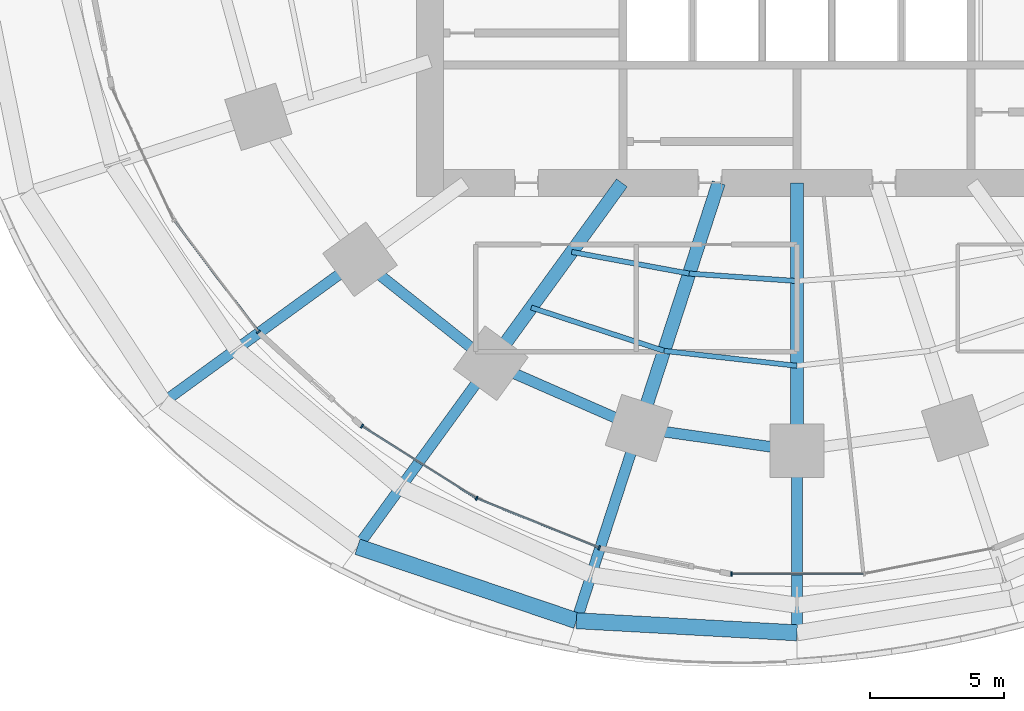
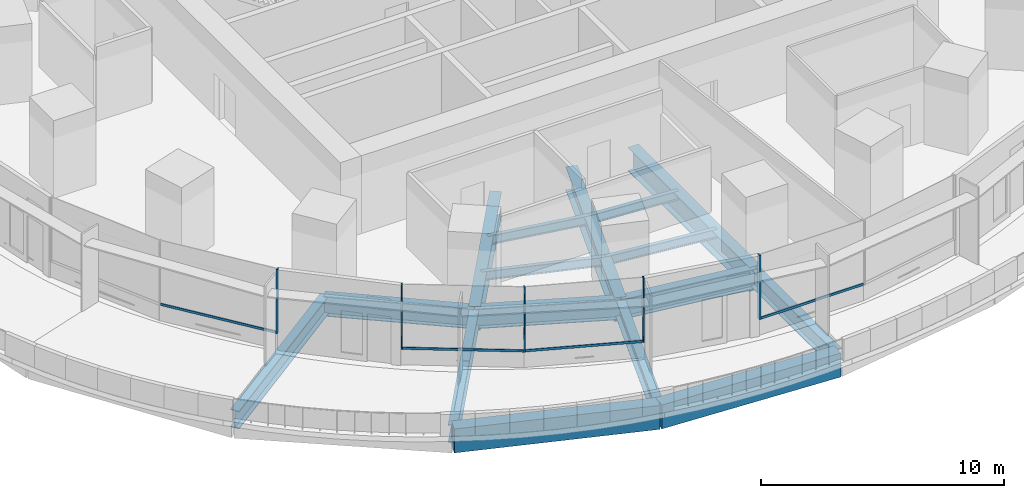
# One storey, part 2 of 20: 16 beams, 9 members, 4 elements without a shape of their own.
"""IFC4 building model written with IfcOpenShell, lengths in metres."""

import ifcopenshell
import ifcopenshell.guid

model = None  # the IFC model being written
_history = None  # IfcOwnerHistory: only IFC2X3 demands one
_inside = {}  # id of a spatial element -> (the spatial element, [elements in it])
_under = {}  # id of a project, library or spatial element -> (it, [spatial elements below it])
_declared = {}  # id of a project -> (the project, [libraries it declares])
_typed = {}  # id of a type object -> (the type object, [elements of that type])
_made_of = {}  # id of a material, layer set ... -> (it, [elements and type objects made of it])


def new_model(schema):
    """Start an empty IFC model of exactly this schema.

    Asked for "IFC4X3", IfcOpenShell would pick the latest addendum, in which some entities
    have other attributes; the version numbers below select the first issue.
    IFC2X3 requires an IfcOwnerHistory on every rooted entity: one is made here for all.
    """
    global model, _history
    if schema == "IFC4X3":
        model = ifcopenshell.file(schema_version=(4, 3, 0, 0))
    else:
        model = ifcopenshell.file(schema=schema)
    _inside.clear()
    _under.clear()
    _declared.clear()
    _typed.clear()
    _made_of.clear()
    _history = None
    if model.schema == "IFC2X3":
        org = make("IfcOrganization", Name="unknown")
        user = make(
            "IfcPersonAndOrganization",
            ThePerson=make("IfcPerson", FamilyName="unknown"),
            TheOrganization=org,
        )
        app = make(
            "IfcApplication",
            ApplicationDeveloper=org,
            Version="unknown",
            ApplicationFullName="unknown",
            ApplicationIdentifier="unknown",
        )
        _history = make(
            "IfcOwnerHistory",
            OwningUser=user,
            OwningApplication=app,
            ChangeAction="ADDED",
            CreationDate=0,
        )
    return model


def make(cls, **values):
    """One entity of the class cls with the attributes given. An attribute that is None is left unset."""
    return model.create_entity(
        cls, **{name: value for name, value in values.items() if value is not None}
    )


def rooted(cls, **values):
    """An entity with a GlobalId (a new one), such as an element, a storey or a relation."""
    return make(cls, GlobalId=ifcopenshell.guid.new(), OwnerHistory=_history, **values)


def si_unit(unit_type, name, prefix=None):
    """IfcSIUnit, for example si_unit("LENGTHUNIT", "METRE", prefix="MILLI")."""
    return make("IfcSIUnit", UnitType=unit_type, Prefix=prefix, Name=name)


def assignment(units):
    """IfcUnitAssignment: the units of a project."""
    return None if units is None else make("IfcUnitAssignment", Units=units)


def point(xyz):
    """IfcCartesianPoint."""
    return None if xyz is None else make("IfcCartesianPoint", Coordinates=xyz)


def direction(xyz):
    """IfcDirection."""
    return None if xyz is None else make("IfcDirection", DirectionRatios=xyz)


def frame(location, z_axis=None, x_axis=None):
    """IfcAxis2Placement3D, a coordinate frame: its origin and axes. An axis left out is left unset."""
    return make(
        "IfcAxis2Placement3D",
        Location=point(location),
        Axis=direction(z_axis),
        RefDirection=direction(x_axis),
    )


def frame_2d(location, x_axis=None):
    """IfcAxis2Placement2D, a coordinate frame in the plane: its origin and x axis."""
    return make(
        "IfcAxis2Placement2D", Location=point(location), RefDirection=direction(x_axis)
    )


def origin():
    """The frame at (0, 0, 0) with its axes left unset."""
    return frame((0.0, 0.0, 0.0))


def origin_2d():
    """The frame at (0, 0) in the plane with its x axis left unset."""
    return frame_2d((0.0, 0.0))


def place(relative_to, where):
    """IfcLocalPlacement: puts the frame where relative to a parent placement (None: the world)."""
    return make(
        "IfcLocalPlacement", PlacementRelTo=relative_to, RelativePlacement=where
    )


def context(
    kind, dimensions, precision=None, world=None, true_north=None, identifier=None
):
    """IfcGeometricRepresentationContext, for example the 3D "Model" context."""
    return make(
        "IfcGeometricRepresentationContext",
        ContextIdentifier=identifier,
        ContextType=kind,
        CoordinateSpaceDimension=dimensions,
        Precision=precision,
        WorldCoordinateSystem=world,
        TrueNorth=true_north,
    )


def subcontext(parent, identifier, kind, view, scale=None):
    """IfcGeometricRepresentationSubContext, for example "Body" below "Model"."""
    return make(
        "IfcGeometricRepresentationSubContext",
        ContextIdentifier=identifier,
        ContextType=kind,
        ParentContext=parent,
        TargetScale=scale,
        TargetView=view,
    )


def project(units=None, contexts=None):
    """IfcProject with its units and contexts."""
    return rooted(
        "IfcProject",
        Name="project",
        RepresentationContexts=contexts,
        UnitsInContext=assignment(units),
    )


def spatial(cls, under=None, at=None, **own):
    """A site, building, storey or space (cls), placed at a placement, below another one or the project."""
    s = rooted(cls, ObjectPlacement=at, **own)
    if under is not None:
        _under.setdefault(under.id(), (under, []))[1].append(s)
    return s


def profile(cls, at=None, kind="AREA", **sizes):
    """A parametric profile (cls). Its sizes go by their IFC names, for example OverallWidth=200.0."""
    return make(cls, ProfileType=kind, Position=at, **sizes)


def rectangle(**sizes):
    """IfcRectangleProfileDef."""
    return profile("IfcRectangleProfileDef", **sizes)


def i_section(**sizes):
    """IfcIShapeProfileDef."""
    return profile("IfcIShapeProfileDef", **sizes)


def extrude(swept, where, along, depth):
    """IfcExtrudedAreaSolid: the profile swept, set in the frame where, extruded along a direction by depth."""
    return make(
        "IfcExtrudedAreaSolid",
        SweptArea=swept,
        Position=where,
        ExtrudedDirection=direction(along),
        Depth=depth,
    )


def shape(context_of_items, identifier, shape_type, items):
    """IfcShapeRepresentation: the items that make up one representation, for example the "Body"."""
    return make(
        "IfcShapeRepresentation",
        ContextOfItems=context_of_items,
        RepresentationIdentifier=identifier,
        RepresentationType=shape_type,
        Items=items,
    )


def material(Name=None, Category=None):
    """IfcMaterial."""
    return make("IfcMaterial", Name=Name, Category=Category)


def material_profile(
    of_material, cross_section, Name=None, Category=None, Priority=None
):
    """IfcMaterialProfile: a cross section and its material."""
    return make(
        "IfcMaterialProfile",
        Name=Name,
        Material=of_material,
        Profile=cross_section,
        Priority=Priority,
        Category=Category,
    )


def profile_set(profiles, Name=None, composite=None):
    """IfcMaterialProfileSet."""
    return make(
        "IfcMaterialProfileSet",
        Name=Name,
        MaterialProfiles=profiles,
        CompositeProfile=composite,
    )


def made_of(thing, what):
    """Note that an element or type object is made of a material, layer set ...; save() writes the relation."""
    if what is not None:
        _made_of.setdefault(what.id(), (what, []))[1].append(thing)
    return thing


def type_object(cls, material=None, **own):
    """A type object (cls), such as IfcWallType, which elements share."""
    return made_of(rooted(cls, **own), material)


def element(
    cls,
    number,
    at=None,
    inside=None,
    cuts=None,
    type_object=None,
    material=None,
    context=None,
    identifier="Body",
    shape_type=None,
    held_by="IfcProductDefinitionShape",
    body=None,
    shapes=None,
    **own,
):
    """One element of the class cls, such as IfcWall. Its Tag is "e" and its number.

    at: its placement. inside: the storey or other place that contains it. cuts: it is an
    opening in that element (IfcRelVoidsElement). A single representation is given by context,
    identifier, shape_type and body (its items); several are given by shapes. held_by: the class
    of the entity that holds the representations. save() writes the other relations.
    """
    e = rooted(cls, Tag="e%d" % number, ObjectPlacement=at, **own)
    if body is not None:
        shapes = [shape(context, identifier, shape_type, body)]
    if shapes is not None:
        e.Representation = make(held_by, Representations=shapes)
    if inside is not None:
        _inside.setdefault(inside.id(), (inside, []))[1].append(e)
    if cuts is not None:
        rooted(
            "IfcRelVoidsElement", RelatingBuildingElement=cuts, RelatedOpeningElement=e
        )
    if type_object is not None:
        _typed.setdefault(type_object.id(), (type_object, []))[1].append(e)
    return made_of(e, material)


def aggregate(whole, parts):
    """IfcRelAggregates: a whole, such as a stair, and the parts it consists of."""
    return rooted("IfcRelAggregates", RelatingObject=whole, RelatedObjects=parts)


def save(model, path):
    """Write the relations noted so far, then the file.

    IfcRelAggregates (storeys below a building ...), IfcRelContainedInSpatialStructure (elements
    in a storey), IfcRelDefinesByType, IfcRelAssociatesMaterial and IfcRelDeclares: one each for
    every whole, place, type object, material and project.
    """
    for whole, parts in _under.values():
        aggregate(whole, parts)
    for where, things in _inside.values():
        rooted(
            "IfcRelContainedInSpatialStructure",
            RelatedElements=things,
            RelatingStructure=where,
        )
    for kind, things in _typed.values():
        rooted("IfcRelDefinesByType", RelatedObjects=things, RelatingType=kind)
    for what, things in _made_of.values():
        rooted("IfcRelAssociatesMaterial", RelatedObjects=things, RelatingMaterial=what)
    for by, libraries in _declared.values():
        rooted("IfcRelDeclares", RelatingContext=by, RelatedDefinitions=libraries)
    model.write(path)


model = new_model("IFC4")

# Units and contexts
model_context = context("Model", 3, precision=1e-05, world=origin(), true_north=direction((0.0, 1.0)))
body_context = subcontext(model_context, "Body", "Model", "MODEL_VIEW")
ifc_project = project(units=[si_unit("LENGTHUNIT", "METRE"), si_unit("AREAUNIT", "SQUARE_METRE"), si_unit("VOLUMEUNIT", "CUBIC_METRE"), si_unit("PLANEANGLEUNIT", "RADIAN"), si_unit("MASSUNIT", "GRAM", prefix="KILO")], contexts=[model_context])

# Site, building, storey
site_placement = place(None, origin())
site = spatial("IfcSite", under=ifc_project, at=site_placement, CompositionType="ELEMENT")
building_placement = place(site_placement, origin())
building = spatial("IfcBuilding", under=site, at=building_placement, Name="Marramba Exchange Tower", CompositionType="ELEMENT")
storey_placement = place(building_placement, frame((0.0, 0.0, 19.60009765625)))
storey = spatial("IfcBuildingStorey", under=building, at=storey_placement, Name="L04", CompositionType="ELEMENT", Elevation=19.60009765625)

# Beams
ifc_material_1 = material(Name="Concrete N50", Category="concrete")
ifc_material_profile_1 = material_profile(ifc_material_1, rectangle(XDim=0.60009765625, YDim=1.199951171875, at=origin_2d()), Name="RC 600x1200")
ifc_profile_set_1 = profile_set([ifc_material_profile_1], Name="Concrete N50")
beam_type_1 = type_object("IfcBeamType", Name="Edge beam RC 600x1200 N50", PredefinedType="SPANDREL", material=ifc_profile_set_1)
beam_1_placement = place(storey_placement, frame((-16.40869140625, -22.58447265625, -0.85009765625), z_axis=(0.947330534482, -0.320257487715, 0.0), x_axis=(0.320257487715, 0.947330534482, 0.0)))
element("IfcBeam", 1, at=beam_1_placement, inside=storey, type_object=beam_type_1, Name="Edge beam L04 P3C14", PredefinedType="SPANDREL", context=body_context, shape_type="SweptSolid", body=[
    extrude(rectangle(XDim=0.60009765625, YDim=1.199951171875, at=origin_2d()), origin(), (0.0, 0.0, 1.0), 8.627197265625),
])
beam_2_placement = place(storey_placement, frame((-8.23583984375, -25.347412109375, -0.85009765625), z_axis=(0.998493145598, -0.054876572358, 0.0), x_axis=(0.054876572358, 0.998493145598, 0.0)))
element("IfcBeam", 2, at=beam_2_placement, inside=storey, type_object=beam_type_1, Name="Edge beam L04 P3C15", PredefinedType="SPANDREL", context=body_context, shape_type="SweptSolid", body=[
    extrude(rectangle(XDim=0.60009765625, YDim=1.199951171875, at=origin_2d()), origin(), (0.0, 0.0, 1.0), 8.248291015625),
])
ifc_material_2 = material(Name="Steel AS/NZS 3679.1 grade 300", Category="steel")
ifc_material_profile_2 = material_profile(ifc_material_2, i_section(OverallWidth=0.18994140625, OverallDepth=0.4541015625, WebThickness=0.008544921875, FlangeThickness=0.0126953125, FilletRadius=0.011474609375, at=origin_2d()), Name="460UB67.1")
ifc_profile_set_2 = profile_set([ifc_material_profile_2], Name="Steel AS/NZS 3679.1 grade 300")
beam_type_2 = type_object("IfcBeamType", Name="Floor joist 460UB67.1", PredefinedType="JOIST", material=ifc_profile_set_2)
beam_3_placement = place(storey_placement, frame((-8.41162109375, -11.57763671875, -0.427001953125), z_axis=(0.983455754421, -0.181148500119, 0.0), x_axis=(0.181148500119, 0.983455754421, 0.0)))
element("IfcBeam", 3, at=beam_3_placement, inside=storey, type_object=beam_type_2, Name="Joist L04 bay 14 row 1", PredefinedType="JOIST", context=body_context, shape_type="SweptSolid", body=[
    extrude(i_section(OverallWidth=0.18994140625, OverallDepth=0.4541015625, WebThickness=0.008544921875, FlangeThickness=0.0126953125, FilletRadius=0.011474609375, at=origin_2d()), origin(), (0.0, 0.0, 1.0), 4.4609375),
])
beam_4_placement = place(storey_placement, frame((-9.9208984375, -13.655029296875, -0.427001953125), z_axis=(0.950764024931, -0.309915744834, 0.0), x_axis=(0.309915744834, 0.950764024931, 0.0)))
element("IfcBeam", 4, at=beam_4_placement, inside=storey, type_object=beam_type_2, Name="Joist L04 bay 14 row 2", PredefinedType="JOIST", context=body_context, shape_type="SweptSolid", body=[
    extrude(i_section(OverallWidth=0.18994140625, OverallDepth=0.4541015625, WebThickness=0.008544921875, FlangeThickness=0.0126953125, FilletRadius=0.011474609375, at=origin_2d()), origin(), (0.0, 0.0, 1.0), 5.2158203125),
])
beam_5_placement = place(storey_placement, frame((-4.0244140625, -12.3857421875, -0.427001953125), z_axis=(0.99759625901, -0.069294328838, 0.0), x_axis=(0.069294328838, 0.99759625901, 0.0)))
element("IfcBeam", 5, at=beam_5_placement, inside=storey, type_object=beam_type_2, Name="Joist L04 bay 15 row 1", PredefinedType="JOIST", context=body_context, shape_type="SweptSolid", body=[
    extrude(i_section(OverallWidth=0.18994140625, OverallDepth=0.4541015625, WebThickness=0.008544921875, FlangeThickness=0.0126953125, FilletRadius=0.011474609375, at=origin_2d()), origin(), (0.0, 0.0, 1.0), 4.0341796875),
])
beam_6_placement = place(storey_placement, frame((-4.9619140625, -15.271484375, -0.427001953125), z_axis=(0.993712018573, -0.111966174106, 0.0), x_axis=(0.111966174106, 0.993712018573, 0.0)))
element("IfcBeam", 6, at=beam_6_placement, inside=storey, type_object=beam_type_2, Name="Joist L04 bay 15 row 2", PredefinedType="JOIST", context=body_context, shape_type="SweptSolid", body=[
    extrude(i_section(OverallWidth=0.18994140625, OverallDepth=0.4541015625, WebThickness=0.008544921875, FlangeThickness=0.0126953125, FilletRadius=0.011474609375, at=origin_2d()), origin(), (0.0, 0.0, 1.0), 4.993408203125),
])
ifc_material_3 = material(Name="Steel AS/NZS 3679.2 grade 300", Category="steel")
ifc_material_profile_3 = material_profile(ifc_material_3, i_section(OverallWidth=0.5, OverallDepth=1.199951171875, WebThickness=0.01611328125, FlangeThickness=0.0400390625, at=origin_2d()), Name="1200WB455")
ifc_profile_set_3 = profile_set([ifc_material_profile_3], Name="Steel AS/NZS 3679.2 grade 300")
beam_type_3 = type_object("IfcBeamType", Name="Radial girder 1200WB455", PredefinedType="BEAM", material=ifc_profile_set_3)
beam_7_placement = place(storey_placement, frame((-6.538818359375, -9.0, -0.800048828125), z_axis=(-0.587787877172, -0.809015087282, 0.0), x_axis=(0.809015087282, -0.587787877172, 0.0)))
element("IfcBeam", 7, at=beam_7_placement, inside=storey, type_object=beam_type_3, Name="Radial girder L04 TC14", PredefinedType="BEAM", context=body_context, shape_type="SweptSolid", body=[
    extrude(i_section(OverallWidth=0.5, OverallDepth=1.199951171875, WebThickness=0.01611328125, FlangeThickness=0.0400390625, at=origin_2d()), origin(), (0.0, 0.0, 1.0), 8.322021484375),
])
beam_8_placement = place(storey_placement, frame((-2.92431640625, -9.0, -0.800048828125), z_axis=(-0.309022428985, -0.951054750466, 0.0), x_axis=(0.951054750466, -0.309022428985, 0.0)))
element("IfcBeam", 8, at=beam_8_placement, inside=storey, type_object=beam_type_3, Name="Radial girder L04 TC15", PredefinedType="BEAM", context=body_context, shape_type="SweptSolid", body=[
    extrude(i_section(OverallWidth=0.5, OverallDepth=1.199951171875, WebThickness=0.01611328125, FlangeThickness=0.0400390625, at=origin_2d()), origin(), (0.0, 0.0, 1.0), 9.628173828125),
])
beam_9_placement = place(storey_placement, frame((0.0, -9.0, -0.800048828125), z_axis=(0.0, -1.0, 0.0), x_axis=(1.0, 0.0, 0.0)))
element("IfcBeam", 9, at=beam_9_placement, inside=storey, type_object=beam_type_3, Name="Radial girder L04 TC16", PredefinedType="BEAM", context=body_context, shape_type="SweptSolid", body=[
    extrude(i_section(OverallWidth=0.5, OverallDepth=1.199951171875, WebThickness=0.01611328125, FlangeThickness=0.0400390625, at=origin_2d()), origin(), (0.0, 0.0, 1.0), 9.99609375),
])
ifc_material_profile_4 = material_profile(ifc_material_3, i_section(OverallWidth=0.39990234375, OverallDepth=0.89990234375, WebThickness=0.01611328125, FlangeThickness=0.031982421875, at=origin_2d()), Name="900WB282")
ifc_profile_set_4 = profile_set([ifc_material_profile_4], Name="Steel AS/NZS 3679.2 grade 300")
beam_type_4 = type_object("IfcBeamType", Name="Radial girder 900WB282", PredefinedType="BEAM", material=ifc_profile_set_4)
beam_10_placement = place(storey_placement, frame((-23.644775390625, -17.178955078125, -0.7001953125), z_axis=(0.809011012896, 0.587793485004, 0.0), x_axis=(-0.587793485004, 0.809011012896, 0.0)))
element("IfcBeam", 10, at=beam_10_placement, inside=storey, type_object=beam_type_4, Name="Radial girder L04 P3C13", PredefinedType="BEAM", context=body_context, shape_type="SweptSolid", body=[
    extrude(i_section(OverallWidth=0.39990234375, OverallDepth=0.89990234375, WebThickness=0.01611328125, FlangeThickness=0.031982421875, at=origin_2d()), origin(), (0.0, 0.0, 1.0), 9.0595703125),
])
beam_11_placement = place(storey_placement, frame((-16.40869140625, -22.58447265625, -0.7001953125), z_axis=(0.58779626967, 0.809008989667, 0.0), x_axis=(-0.809008989667, 0.58779626967, 0.0)))
element("IfcBeam", 11, at=beam_11_placement, inside=storey, type_object=beam_type_4, Name="Radial girder L04 P3C14", PredefinedType="BEAM", context=body_context, shape_type="SweptSolid", body=[
    extrude(i_section(OverallWidth=0.39990234375, OverallDepth=0.89990234375, WebThickness=0.01611328125, FlangeThickness=0.031982421875, at=origin_2d()), origin(), (0.0, 0.0, 1.0), 8.469482421875),
])
beam_12_placement = place(storey_placement, frame((-8.23583984375, -25.347412109375, -0.7001953125), z_axis=(0.309001370997, 0.951061592497, 0.0), x_axis=(-0.951061592497, 0.309001370997, 0.0)))
element("IfcBeam", 12, at=beam_12_placement, inside=storey, type_object=beam_type_4, Name="Radial girder L04 P3C15", PredefinedType="BEAM", context=body_context, shape_type="SweptSolid", body=[
    extrude(i_section(OverallWidth=0.39990234375, OverallDepth=0.89990234375, WebThickness=0.01611328125, FlangeThickness=0.031982421875, at=origin_2d()), origin(), (0.0, 0.0, 1.0), 7.560546875),
])
beam_13_placement = place(storey_placement, frame((0.0, -25.800048828125, -0.7001953125), z_axis=(0.0, 1.0, 0.0), x_axis=(-1.0, 0.0, 0.0)))
element("IfcBeam", 13, at=beam_13_placement, inside=storey, type_object=beam_type_4, Name="Radial girder L04 P3C16", PredefinedType="BEAM", context=body_context, shape_type="SweptSolid", body=[
    extrude(i_section(OverallWidth=0.39990234375, OverallDepth=0.89990234375, WebThickness=0.01611328125, FlangeThickness=0.031982421875, at=origin_2d()), origin(), (0.0, 0.0, 1.0), 6.803955078125),
])
ifc_material_profile_5 = material_profile(ifc_material_3, i_section(OverallWidth=0.39990234375, OverallDepth=1.0, WebThickness=0.01611328125, FlangeThickness=0.031982421875, at=origin_2d()), Name="1000WB322")
ifc_profile_set_5 = profile_set([ifc_material_profile_5], Name="Steel AS/NZS 3679.2 grade 300")
beam_type_5 = type_object("IfcBeamType", Name="Ring beam 1000WB322", PredefinedType="SPANDREL", material=ifc_profile_set_5)
beam_14_placement = place(storey_placement, frame((-16.3154296875, -11.853759765625, -0.7001953125), z_axis=(0.783139438128, -0.621846138887, 0.0), x_axis=(0.621846138887, 0.783139438128, 0.0)))
element("IfcBeam", 14, at=beam_14_placement, inside=storey, type_object=beam_type_5, Name="Ring beam L04 TC13-TC14", PredefinedType="SPANDREL", context=body_context, shape_type="SweptSolid", body=[
    extrude(i_section(OverallWidth=0.39990234375, OverallDepth=1.0, WebThickness=0.01611328125, FlangeThickness=0.031982421875, at=origin_2d()), origin(), (0.0, 0.0, 1.0), 6.23779296875),
])
beam_15_placement = place(storey_placement, frame((-11.430419921875, -15.732666015625, -0.7001953125), z_axis=(0.915876892158, -0.4014592363, 0.0), x_axis=(0.4014592363, 0.915876892158, 0.0)))
element("IfcBeam", 15, at=beam_15_placement, inside=storey, type_object=beam_type_5, Name="Ring beam L04 TC14-TC15", PredefinedType="SPANDREL", context=body_context, shape_type="SweptSolid", body=[
    extrude(i_section(OverallWidth=0.39990234375, OverallDepth=1.0, WebThickness=0.01611328125, FlangeThickness=0.031982421875, at=origin_2d()), origin(), (0.0, 0.0, 1.0), 6.038818359375),
])
beam_16_placement = place(storey_placement, frame((-5.899658203125, -18.156982421875, -0.7001953125), z_axis=(0.990036163016, -0.140813337152, 0.0), x_axis=(0.140813337152, 0.990036163016, 0.0)))
element("IfcBeam", 16, at=beam_16_placement, inside=storey, type_object=beam_type_5, Name="Ring beam L04 TC15-TC16", PredefinedType="SPANDREL", context=body_context, shape_type="SweptSolid", body=[
    extrude(i_section(OverallWidth=0.39990234375, OverallDepth=1.0, WebThickness=0.01611328125, FlangeThickness=0.031982421875, at=origin_2d()), origin(), (0.0, 0.0, 1.0), 5.958984375),
])

# Curtain wall, member
ifc_material_4 = material(Name="Aluminium framing, bronze anodised", Category="aluminium")
curtain_wall_type = type_object("IfcCurtainWallType", Name="Trading floor ribbon curtain wall", PredefinedType="USERDEFINED", material=ifc_material_4)
curtain_wall_1_placement = place(storey_placement, origin())
curtain_wall_1 = element("IfcCurtainWall", 17, at=curtain_wall_1_placement, inside=storey, type_object=curtain_wall_type, Name="Curtain wall CW3 L04 F17-F18", ObjectType="RIBBON CURTAIN WALL", PredefinedType="USERDEFINED")
ifc_material_5 = material(Name="Aluminium mullion, bronze anodised", Category="aluminium")
ifc_material_profile_6 = material_profile(ifc_material_5, rectangle(XDim=0.159912109375, YDim=0.06005859375, at=origin_2d()), Name="CW3 mullion 60x160")
ifc_profile_set_6 = profile_set([ifc_material_profile_6], Name="Aluminium mullion, bronze anodised")
member_type_1 = type_object("IfcMemberType", Name="Trading floor ribbon curtain wall mullion", PredefinedType="MULLION", material=ifc_profile_set_6)
member_1_placement = place(storey_placement, frame((-20.103515625, -14.569091796875, 0.7998046875), z_axis=(0.0, 0.0, 1.0), x_axis=(0.797710591138, 0.603040473588, 0.0)))
member_1 = element("IfcMember", 18, at=member_1_placement, type_object=member_type_1, Name="CW3 mullion 2", PredefinedType="MULLION", context=body_context, shape_type="SweptSolid", body=[
    extrude(rectangle(XDim=0.159912109375, YDim=0.06005859375, at=origin_2d()), origin(), (0.0, 0.0, 1.0), 3.239990234375),
])

curtain_wall_2_placement = place(storey_placement, origin())
curtain_wall_2 = element("IfcCurtainWall", 19, at=curtain_wall_2_placement, inside=storey, type_object=curtain_wall_type, Name="Curtain wall CW3 L04 F20", ObjectType="RIBBON CURTAIN WALL", PredefinedType="USERDEFINED")
member_2_placement = place(storey_placement, frame((-16.242431640625, -18.083251953125, 0.7998046875), z_axis=(0.0, 0.0, 1.0), x_axis=(0.533514646612, 0.845790826298, 0.0)))
member_2 = element("IfcMember", 20, at=member_2_placement, type_object=member_type_1, Name="CW3 mullion 1", PredefinedType="MULLION", context=body_context, shape_type="SweptSolid", body=[
    extrude(rectangle(XDim=0.159912109375, YDim=0.06005859375, at=origin_2d()), origin(), (0.0, 0.0, 1.0), 3.239990234375),
])

# Curtain wall, members
curtain_wall_3_placement = place(storey_placement, origin())
curtain_wall_3 = element("IfcCurtainWall", 21, at=curtain_wall_3_placement, inside=storey, type_object=curtain_wall_type, Name="Curtain wall CW3 L04 F21", ObjectType="RIBBON CURTAIN WALL", PredefinedType="USERDEFINED")
member_3_placement = place(storey_placement, frame((-11.96142578125, -20.77734375, 0.7998046875), z_axis=(0.0, 0.0, 1.0), x_axis=(0.374218219325, 0.927340673283, 0.0)))
member_3 = element("IfcMember", 22, at=member_3_placement, type_object=member_type_1, Name="CW3 mullion 1", PredefinedType="MULLION", context=body_context, shape_type="SweptSolid", body=[
    extrude(rectangle(XDim=0.159912109375, YDim=0.06005859375, at=origin_2d()), origin(), (0.0, 0.0, 1.0), 3.239990234375),
])
member_4_placement = place(storey_placement, frame((-7.3828125, -22.625, 0.7998046875), z_axis=(0.0, 0.0, 1.0), x_axis=(0.374218219325, 0.927340673283, 0.0)))
member_4 = element("IfcMember", 23, at=member_4_placement, type_object=member_type_1, Name="CW3 mullion 2", PredefinedType="MULLION", context=body_context, shape_type="SweptSolid", body=[
    extrude(rectangle(XDim=0.159912109375, YDim=0.06005859375, at=origin_2d()), origin(), (0.0, 0.0, 1.0), 3.239990234375),
])

# Curtain wall, member
curtain_wall_4_placement = place(storey_placement, origin())
curtain_wall_4 = element("IfcCurtainWall", 24, at=curtain_wall_4_placement, inside=storey, type_object=curtain_wall_type, Name="Curtain wall CW3 L04 F23-F24", ObjectType="RIBBON CURTAIN WALL", PredefinedType="USERDEFINED")
member_5_placement = place(storey_placement, frame((-2.450439453125, -23.599853515625, 0.7998046875), z_axis=(0.0, 0.0, 1.0), x_axis=(0.0, 1.0, 0.0)))
member_5 = element("IfcMember", 25, at=member_5_placement, type_object=member_type_1, Name="CW3 mullion 1", PredefinedType="MULLION", context=body_context, shape_type="SweptSolid", body=[
    extrude(rectangle(XDim=0.159912109375, YDim=0.06005859375, at=origin_2d()), origin(), (0.0, 0.0, 1.0), 3.239990234375),
])

# Member
ifc_material_6 = material(Name="Aluminium transom, bronze anodised", Category="aluminium")
ifc_material_profile_7 = material_profile(ifc_material_6, rectangle(XDim=0.06005859375, YDim=0.1201171875, at=origin_2d()), Name="CW3 transom 60x120")
ifc_profile_set_7 = profile_set([ifc_material_profile_7], Name="Aluminium transom, bronze anodised")
member_type_2 = type_object("IfcMemberType", Name="Trading floor ribbon curtain wall transom", PredefinedType="USERDEFINED", material=ifc_profile_set_7)
member_6_placement = place(storey_placement, frame((-23.2451171875, -10.413330078125, 0.829833984375), z_axis=(0.603042441116, -0.797709103755, 0.0), x_axis=(0.797709103755, 0.603042441116, 0.0)))
member_6 = element("IfcMember", 26, at=member_6_placement, type_object=member_type_2, Name="CW3 sill transom", ObjectType="TRANSOM", PredefinedType="USERDEFINED", context=body_context, shape_type="SweptSolid", body=[
    extrude(rectangle(XDim=0.06005859375, YDim=0.1201171875, at=origin_2d()), origin(), (0.0, 0.0, 1.0), 5.1796875),
])

aggregate(curtain_wall_1, [member_1, member_6])

member_7_placement = place(storey_placement, frame((-16.217041015625, -18.09912109375, 0.829833984375), z_axis=(0.845776602594, -0.533537195053, 0.0), x_axis=(0.533537195053, 0.845776602594, 0.0)))
member_7 = element("IfcMember", 27, at=member_7_placement, type_object=member_type_2, Name="CW3 sill transom", ObjectType="TRANSOM", PredefinedType="USERDEFINED", context=body_context, shape_type="SweptSolid", body=[
    extrude(rectangle(XDim=0.06005859375, YDim=0.1201171875, at=origin_2d()), origin(), (0.0, 0.0, 1.0), 4.998779296875),
])

aggregate(curtain_wall_2, [member_2, member_7])

member_8_placement = place(storey_placement, frame((-11.93359375, -20.78857421875, 0.829833984375), z_axis=(0.927340071196, -0.374219711339, 0.0), x_axis=(0.374219711339, 0.927340071196, 0.0)))
member_8 = element("IfcMember", 28, at=member_8_placement, type_object=member_type_2, Name="CW3 sill transom", ObjectType="TRANSOM", PredefinedType="USERDEFINED", context=body_context, shape_type="SweptSolid", body=[
    extrude(rectangle(XDim=0.06005859375, YDim=0.1201171875, at=origin_2d()), origin(), (0.0, 0.0, 1.0), 4.87744140625),
])

aggregate(curtain_wall_3, [member_3, member_4, member_8])

member_9_placement = place(storey_placement, frame((-2.42041015625, -23.599853515625, 0.829833984375), z_axis=(1.0, 0.0, 0.0), x_axis=(0.0, 1.0, 0.0)))
member_9 = element("IfcMember", 29, at=member_9_placement, type_object=member_type_2, Name="CW3 sill transom", ObjectType="TRANSOM", PredefinedType="USERDEFINED", context=body_context, shape_type="SweptSolid", body=[
    extrude(rectangle(XDim=0.06005859375, YDim=0.1201171875, at=origin_2d()), origin(), (0.0, 0.0, 1.0), 4.90087890625),
])

aggregate(curtain_wall_4, [member_5, member_9])

save(model, "model.ifc")
